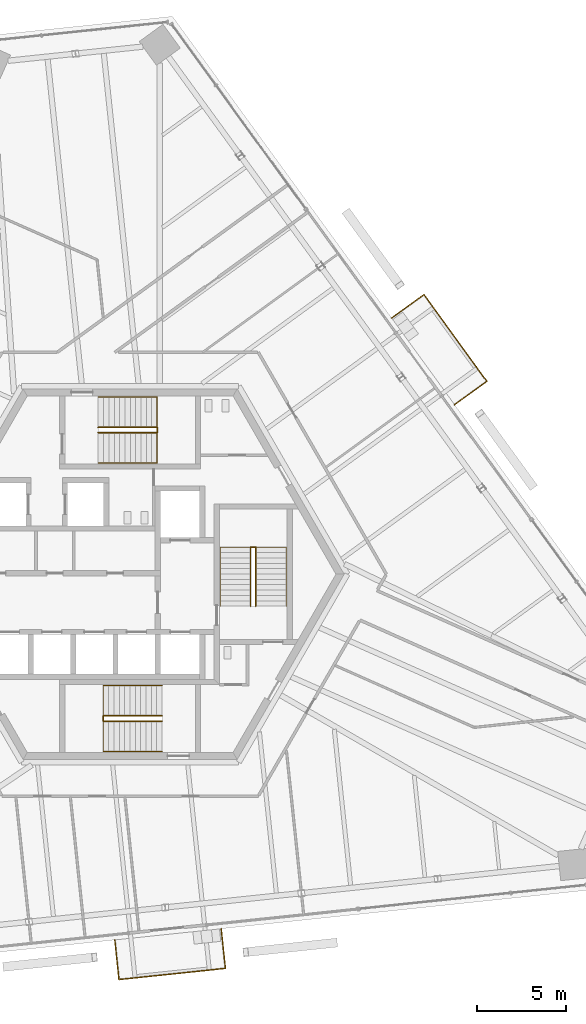
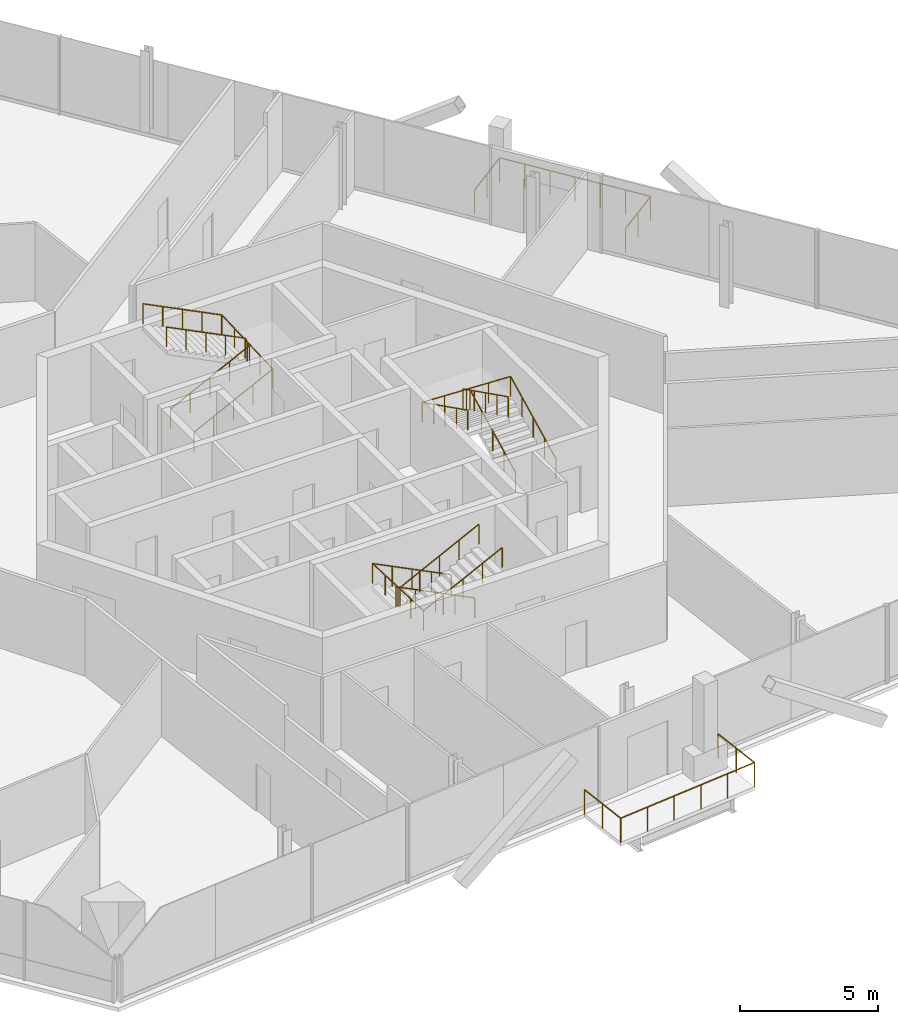
# One storey, part 15 of 18: 8 railings.
"""IFC4 building model written with IfcOpenShell, lengths in metres."""

from ifc_helpers import new_model, si_unit, direction, frame, origin, origin_2d, place, context, subcontext, project, spatial, circle, extrude, source, transform, mapped, material, type_object, element, save


model = new_model("IFC4")

# Units and contexts
model_context = context("Model", 3, precision=1e-05, world=origin(), true_north=direction((0.0, 1.0)))
body_context = subcontext(model_context, "Body", "Model", "MODEL_VIEW")
ifc_project = project(units=[si_unit("LENGTHUNIT", "METRE"), si_unit("AREAUNIT", "SQUARE_METRE"), si_unit("VOLUMEUNIT", "CUBIC_METRE"), si_unit("PLANEANGLEUNIT", "RADIAN"), si_unit("MASSUNIT", "GRAM", prefix="KILO")], contexts=[model_context])

# Site, building, storey
site_placement = place(None, origin())
site = spatial("IfcSite", under=ifc_project, at=site_placement, CompositionType="ELEMENT")
building_placement = place(site_placement, origin())
building = spatial("IfcBuilding", under=site, at=building_placement, Name="Triune Harvest Tower", CompositionType="ELEMENT")
storey_placement = place(building_placement, frame((0.0, 0.0, 230.5)))
storey = spatial("IfcBuildingStorey", under=building, at=storey_placement, Name="L60", CompositionType="ELEMENT", Elevation=230.5)

# Railings
ifc_material_1 = material(Name="Glass", Category="glass")
railing_type_1 = type_object("IfcRailingType", Name="GD-2 balcony guard 1100", PredefinedType="GUARDRAIL", material=ifc_material_1)
railing_1_placement = place(storey_placement, frame((18.189208984375, 9.507080078125, 0.0)))
element("IfcRailing", 1, at=railing_1_placement, inside=storey, type_object=railing_type_1, Name="Balcony guard B6-F1 L60.6", PredefinedType="GUARDRAIL", context=body_context, shape_type="SweptSolid", body=[
    extrude(circle(Radius=0.02392578125, at=origin_2d()), frame((0.0, 0.0, 1.076171875), z_axis=(0.809071410957, 0.587710347001, 0.0), x_axis=(-0.587710347001, 0.809071410957, 0.0)), (0.0, 0.0, 1.0), 2.234375),
    extrude(circle(Radius=0.02392578125, at=origin_2d()), frame((1.807861328125, 1.313232421875, 1.076171875), z_axis=(-0.587789377862, 0.809013996957, 0.0), x_axis=(-0.809013996957, -0.587789377862, 0.0)), (0.0, 0.0, 1.0), 6.000244140625),
    extrude(circle(Radius=0.02392578125, at=origin_2d()), frame((-1.718994140625, 6.16748046875, 1.076171875), z_axis=(-0.808981707372, -0.58783381762, 0.0), x_axis=(0.58783381762, -0.808981707372, 0.0)), (0.0, 0.0, 1.0), 2.234375),
    extrude(circle(Radius=0.02099609375, at=origin_2d()), origin(), (0.0, 0.0, 1.0), 1.052001953125),
    extrude(circle(Radius=0.02099609375, at=origin_2d()), frame((0.90380859375, 0.65673828125, 0.0)), (0.0, 0.0, 1.0), 1.052001953125),
    extrude(circle(Radius=0.02099609375, at=origin_2d()), frame((1.807861328125, 1.313232421875, 0.0)), (0.0, 0.0, 1.0), 1.052001953125),
    extrude(circle(Radius=0.02099609375, at=origin_2d()), frame((1.219970703125, 2.122314453125, 0.0)), (0.0, 0.0, 1.0), 1.052001953125),
    extrude(circle(Radius=0.02099609375, at=origin_2d()), frame((0.63232421875, 2.931396484375, 0.0)), (0.0, 0.0, 1.0), 1.052001953125),
    extrude(circle(Radius=0.02099609375, at=origin_2d()), frame((0.04443359375, 3.740234375, 0.0)), (0.0, 0.0, 1.0), 1.052001953125),
    extrude(circle(Radius=0.02099609375, at=origin_2d()), frame((-0.54345703125, 4.54931640625, 0.0)), (0.0, 0.0, 1.0), 1.052001953125),
    extrude(circle(Radius=0.02099609375, at=origin_2d()), frame((-1.131103515625, 5.3583984375, 0.0)), (0.0, 0.0, 1.0), 1.052001953125),
    extrude(circle(Radius=0.02099609375, at=origin_2d()), frame((-1.718994140625, 6.16748046875, 0.0)), (0.0, 0.0, 1.0), 1.052001953125),
    extrude(circle(Radius=0.02099609375, at=origin_2d()), frame((-2.622802734375, 5.5107421875, 0.0)), (0.0, 0.0, 1.0), 1.052001953125),
    extrude(circle(Radius=0.02099609375, at=origin_2d()), frame((-3.526611328125, 4.85400390625, 0.0)), (0.0, 0.0, 1.0), 1.052001953125),
])
railing_2_placement = place(storey_placement, frame((-0.861328125, -20.505859375, 0.0)))
element("IfcRailing", 2, at=railing_2_placement, inside=storey, type_object=railing_type_1, Name="Balcony guard B6-F5 L60.6", PredefinedType="GUARDRAIL", context=body_context, shape_type="SweptSolid", body=[
    extrude(circle(Radius=0.02392578125, at=origin_2d()), frame((0.0, 0.0, 1.076171875), z_axis=(0.104565342096, -0.994518018556, 0.0), x_axis=(0.994518018556, 0.104565342096, 0.0)), (0.0, 0.0, 1.0), 2.234375),
    extrude(circle(Radius=0.02392578125, at=origin_2d()), frame((0.233642578125, -2.22216796875, 1.076171875), z_axis=(0.994521271903, 0.104534394972, 0.0), x_axis=(-0.104534394972, 0.994521271903, 0.0)), (0.0, 0.0, 1.0), 6.0),
    extrude(circle(Radius=0.02392578125, at=origin_2d()), frame((6.20068359375, -1.594970703125, 1.076171875), z_axis=(-0.104457271244, 0.994529375375, 0.0), x_axis=(-0.994529375375, -0.104457271244, 0.0)), (0.0, 0.0, 1.0), 2.234375),
    extrude(circle(Radius=0.02099609375, at=origin_2d()), origin(), (0.0, 0.0, 1.0), 1.052001953125),
    extrude(circle(Radius=0.02099609375, at=origin_2d()), frame((0.11669921875, -1.111083984375, 0.0)), (0.0, 0.0, 1.0), 1.052001953125),
    extrude(circle(Radius=0.02099609375, at=origin_2d()), frame((0.233642578125, -2.22216796875, 0.0)), (0.0, 0.0, 1.0), 1.052001953125),
    extrude(circle(Radius=0.02099609375, at=origin_2d()), frame((1.427001953125, -2.0966796875, 0.0)), (0.0, 0.0, 1.0), 1.052001953125),
    extrude(circle(Radius=0.02099609375, at=origin_2d()), frame((2.620361328125, -1.97119140625, 0.0)), (0.0, 0.0, 1.0), 1.052001953125),
    extrude(circle(Radius=0.02099609375, at=origin_2d()), frame((3.81396484375, -1.845947265625, 0.0)), (0.0, 0.0, 1.0), 1.052001953125),
    extrude(circle(Radius=0.02099609375, at=origin_2d()), frame((5.00732421875, -1.720458984375, 0.0)), (0.0, 0.0, 1.0), 1.052001953125),
    extrude(circle(Radius=0.02099609375, at=origin_2d()), frame((6.20068359375, -1.594970703125, 0.0)), (0.0, 0.0, 1.0), 1.052001953125),
    extrude(circle(Radius=0.02099609375, at=origin_2d()), frame((6.083984375, -0.48388671875, 0.0)), (0.0, 0.0, 1.0), 1.052001953125),
    extrude(circle(Radius=0.02099609375, at=origin_2d()), frame((5.96728515625, 0.627197265625, 0.0)), (0.0, 0.0, 1.0), 1.052001953125),
])
ifc_material_2 = material(Name="Stainless steel AISI 316", Category="steel")
railing_type_2 = type_object("IfcRailingType", Name="Stair handrail", PredefinedType="HANDRAIL", material=ifc_material_2)
shared_shape_1 = source(origin(), body_context, "Body", "SweptSolid", [
    extrude(circle(Radius=0.02392578125, at=origin_2d()), frame((0.0, 0.0, 0.8759765625), z_axis=(0.894413956696, 0.0, 0.447240063129), x_axis=(0.0, 1.0, 0.0)), (0.0, 0.0, 1.0), 3.689697265625),
    extrude(circle(Radius=0.02392578125, at=origin_2d()), frame((3.300048828125, 0.0, 2.52587890625), z_axis=(0.0, 0.999180289278, 0.040481471304), x_axis=(-1.0, 0.0, 0.0)), (0.0, 0.0, 1.0), 3.702880859375),
    extrude(circle(Radius=0.02392578125, at=origin_2d()), frame((3.300048828125, 3.699951171875, 2.67578125), z_axis=(-0.894413956696, 0.0, 0.447240063129), x_axis=(0.0, -1.0, 0.0)), (0.0, 0.0, 1.0), 3.689697265625),
    extrude(circle(Radius=0.02099609375, at=origin_2d()), origin(), (0.0, 0.0, 1.0), 0.851806640625),
    extrude(circle(Radius=0.02099609375, at=origin_2d()), frame((0.824951171875, 0.0, 0.41259765625)), (0.0, 0.0, 1.0), 0.851806640625),
    extrude(circle(Radius=0.02099609375, at=origin_2d()), frame((1.64990234375, 0.0, 0.8251953125)), (0.0, 0.0, 1.0), 0.851806640625),
    extrude(circle(Radius=0.02099609375, at=origin_2d()), frame((2.47509765625, 0.0, 1.237548828125)), (0.0, 0.0, 1.0), 0.851806640625),
    extrude(circle(Radius=0.02099609375, at=origin_2d()), frame((3.300048828125, 0.0, 1.650146484375)), (0.0, 0.0, 1.0), 0.851806640625),
    extrude(circle(Radius=0.02099609375, at=origin_2d()), frame((3.300048828125, 0.925048828125, 1.6875)), (0.0, 0.0, 1.0), 0.851806640625),
    extrude(circle(Radius=0.02099609375, at=origin_2d()), frame((3.300048828125, 1.85009765625, 1.72509765625)), (0.0, 0.0, 1.0), 0.851806640625),
    extrude(circle(Radius=0.02099609375, at=origin_2d()), frame((3.300048828125, 2.77490234375, 1.7626953125)), (0.0, 0.0, 1.0), 0.851806640625),
    extrude(circle(Radius=0.02099609375, at=origin_2d()), frame((3.300048828125, 3.699951171875, 1.800048828125)), (0.0, 0.0, 1.0), 0.851806640625),
    extrude(circle(Radius=0.02099609375, at=origin_2d()), frame((2.47509765625, 3.699951171875, 2.212646484375)), (0.0, 0.0, 1.0), 0.851806640625),
    extrude(circle(Radius=0.02099609375, at=origin_2d()), frame((1.64990234375, 3.699951171875, 2.625)), (0.0, 0.0, 1.0), 0.851806640625),
    extrude(circle(Radius=0.02099609375, at=origin_2d()), frame((0.824951171875, 3.699951171875, 3.03759765625)), (0.0, 0.0, 1.0), 0.851806640625),
    extrude(circle(Radius=0.02099609375, at=origin_2d()), frame((0.0, 3.699951171875, 3.4501953125)), (0.0, 0.0, 1.0), 0.851806640625),
])
railing_3_placement = place(storey_placement, frame((-1.7900390625, 6.239990234375, 0.14990234375)))
element("IfcRailing", 3, at=railing_3_placement, inside=storey, type_object=railing_type_2, Name="Exit stair north wall handrail", PredefinedType="HANDRAIL", context=body_context, shape_type="MappedRepresentation", body=[
    mapped(shared_shape_1, transform((0.0, 0.0, 0.0), scale=1.0)),
])
shared_shape_2 = source(origin(), body_context, "Body", "SweptSolid", [
    extrude(circle(Radius=0.02392578125, at=origin_2d()), frame((0.0, 0.0, 0.8759765625), z_axis=(0.894413956696, 0.0, 0.447240063129), x_axis=(0.0, 1.0, 0.0)), (0.0, 0.0, 1.0), 3.689697265625),
    extrude(circle(Radius=0.02392578125, at=origin_2d()), frame((3.300048828125, 0.0, 2.52587890625), z_axis=(0.0, 0.894572720946, 0.446922417137), x_axis=(-1.0, 0.0, 0.0)), (0.0, 0.0, 1.0), 0.33544921875),
    extrude(circle(Radius=0.02392578125, at=origin_2d()), frame((3.300048828125, 0.300048828125, 2.67578125), z_axis=(-0.894413956696, 0.0, 0.447240063129), x_axis=(0.0, -1.0, 0.0)), (0.0, 0.0, 1.0), 3.689697265625),
    extrude(circle(Radius=0.02099609375, at=origin_2d()), origin(), (0.0, 0.0, 1.0), 0.851806640625),
    extrude(circle(Radius=0.02099609375, at=origin_2d()), frame((0.824951171875, 0.0, 0.41259765625)), (0.0, 0.0, 1.0), 0.851806640625),
    extrude(circle(Radius=0.02099609375, at=origin_2d()), frame((1.64990234375, 0.0, 0.8251953125)), (0.0, 0.0, 1.0), 0.851806640625),
    extrude(circle(Radius=0.02099609375, at=origin_2d()), frame((2.47509765625, 0.0, 1.237548828125)), (0.0, 0.0, 1.0), 0.851806640625),
    extrude(circle(Radius=0.02099609375, at=origin_2d()), frame((3.300048828125, 0.0, 1.650146484375)), (0.0, 0.0, 1.0), 0.851806640625),
    extrude(circle(Radius=0.02099609375, at=origin_2d()), frame((3.300048828125, 0.300048828125, 1.800048828125)), (0.0, 0.0, 1.0), 0.851806640625),
    extrude(circle(Radius=0.02099609375, at=origin_2d()), frame((2.47509765625, 0.300048828125, 2.212646484375)), (0.0, 0.0, 1.0), 0.851806640625),
    extrude(circle(Radius=0.02099609375, at=origin_2d()), frame((1.64990234375, 0.300048828125, 2.625)), (0.0, 0.0, 1.0), 0.851806640625),
    extrude(circle(Radius=0.02099609375, at=origin_2d()), frame((0.824951171875, 0.300048828125, 3.03759765625)), (0.0, 0.0, 1.0), 0.851806640625),
    extrude(circle(Radius=0.02099609375, at=origin_2d()), frame((0.0, 0.300048828125, 3.4501953125)), (0.0, 0.0, 1.0), 0.851806640625),
])
railing_4_placement = place(storey_placement, frame((-1.7900390625, 7.93994140625, 0.14990234375)))
element("IfcRailing", 4, at=railing_4_placement, inside=storey, type_object=railing_type_2, Name="Exit stair north centre handrail", PredefinedType="HANDRAIL", context=body_context, shape_type="MappedRepresentation", body=[
    mapped(shared_shape_2, transform((0.0, 0.0, 0.0), scale=1.0)),
])
shared_shape_3 = source(origin(), body_context, "Body", "SweptSolid", [
    extrude(circle(Radius=0.02392578125, at=origin_2d()), frame((0.0, 0.0, 0.8759765625), z_axis=(-0.894413956696, 0.0, 0.447240063129), x_axis=(0.0, -1.0, 0.0)), (0.0, 0.0, 1.0), 3.689697265625),
    extrude(circle(Radius=0.02392578125, at=origin_2d()), frame((-3.300048828125, 0.0, 2.52587890625), z_axis=(0.0, -0.999180289278, 0.040481471304), x_axis=(1.0, 0.0, 0.0)), (0.0, 0.0, 1.0), 3.702880859375),
    extrude(circle(Radius=0.02392578125, at=origin_2d()), frame((-3.300048828125, -3.699951171875, 2.67578125), z_axis=(0.894413956696, 0.0, 0.447240063129), x_axis=(0.0, 1.0, 0.0)), (0.0, 0.0, 1.0), 3.689697265625),
    extrude(circle(Radius=0.02099609375, at=origin_2d()), origin(), (0.0, 0.0, 1.0), 0.851806640625),
    extrude(circle(Radius=0.02099609375, at=origin_2d()), frame((-0.824951171875, 0.0, 0.41259765625)), (0.0, 0.0, 1.0), 0.851806640625),
    extrude(circle(Radius=0.02099609375, at=origin_2d()), frame((-1.64990234375, 0.0, 0.8251953125)), (0.0, 0.0, 1.0), 0.851806640625),
    extrude(circle(Radius=0.02099609375, at=origin_2d()), frame((-2.47509765625, 0.0, 1.237548828125)), (0.0, 0.0, 1.0), 0.851806640625),
    extrude(circle(Radius=0.02099609375, at=origin_2d()), frame((-3.300048828125, 0.0, 1.650146484375)), (0.0, 0.0, 1.0), 0.851806640625),
    extrude(circle(Radius=0.02099609375, at=origin_2d()), frame((-3.300048828125, -0.925048828125, 1.6875)), (0.0, 0.0, 1.0), 0.851806640625),
    extrude(circle(Radius=0.02099609375, at=origin_2d()), frame((-3.300048828125, -1.85009765625, 1.72509765625)), (0.0, 0.0, 1.0), 0.851806640625),
    extrude(circle(Radius=0.02099609375, at=origin_2d()), frame((-3.300048828125, -2.77490234375, 1.7626953125)), (0.0, 0.0, 1.0), 0.851806640625),
    extrude(circle(Radius=0.02099609375, at=origin_2d()), frame((-3.300048828125, -3.699951171875, 1.800048828125)), (0.0, 0.0, 1.0), 0.851806640625),
    extrude(circle(Radius=0.02099609375, at=origin_2d()), frame((-2.47509765625, -3.699951171875, 2.212646484375)), (0.0, 0.0, 1.0), 0.851806640625),
    extrude(circle(Radius=0.02099609375, at=origin_2d()), frame((-1.64990234375, -3.699951171875, 2.625)), (0.0, 0.0, 1.0), 0.851806640625),
    extrude(circle(Radius=0.02099609375, at=origin_2d()), frame((-0.824951171875, -3.699951171875, 3.03759765625)), (0.0, 0.0, 1.0), 0.851806640625),
    extrude(circle(Radius=0.02099609375, at=origin_2d()), frame((0.0, -3.699951171875, 3.4501953125)), (0.0, 0.0, 1.0), 0.851806640625),
])
railing_5_placement = place(storey_placement, frame((1.7900390625, -6.239990234375, 0.14990234375)))
element("IfcRailing", 5, at=railing_5_placement, inside=storey, type_object=railing_type_2, Name="Exit stair south wall handrail", PredefinedType="HANDRAIL", context=body_context, shape_type="MappedRepresentation", body=[
    mapped(shared_shape_3, transform((0.0, 0.0, 0.0), scale=1.0)),
])
shared_shape_4 = source(origin(), body_context, "Body", "SweptSolid", [
    extrude(circle(Radius=0.02392578125, at=origin_2d()), frame((0.0, 0.0, 0.8759765625), z_axis=(-0.894413956696, 0.0, 0.447240063129), x_axis=(0.0, -1.0, 0.0)), (0.0, 0.0, 1.0), 3.689697265625),
    extrude(circle(Radius=0.02392578125, at=origin_2d()), frame((-3.300048828125, 0.0, 2.52587890625), z_axis=(0.0, -0.894572720946, 0.446922417137), x_axis=(1.0, 0.0, 0.0)), (0.0, 0.0, 1.0), 0.33544921875),
    extrude(circle(Radius=0.02392578125, at=origin_2d()), frame((-3.300048828125, -0.300048828125, 2.67578125), z_axis=(0.894413956696, 0.0, 0.447240063129), x_axis=(0.0, 1.0, 0.0)), (0.0, 0.0, 1.0), 3.689697265625),
    extrude(circle(Radius=0.02099609375, at=origin_2d()), origin(), (0.0, 0.0, 1.0), 0.851806640625),
    extrude(circle(Radius=0.02099609375, at=origin_2d()), frame((-0.824951171875, 0.0, 0.41259765625)), (0.0, 0.0, 1.0), 0.851806640625),
    extrude(circle(Radius=0.02099609375, at=origin_2d()), frame((-1.64990234375, 0.0, 0.8251953125)), (0.0, 0.0, 1.0), 0.851806640625),
    extrude(circle(Radius=0.02099609375, at=origin_2d()), frame((-2.47509765625, 0.0, 1.237548828125)), (0.0, 0.0, 1.0), 0.851806640625),
    extrude(circle(Radius=0.02099609375, at=origin_2d()), frame((-3.300048828125, 0.0, 1.650146484375)), (0.0, 0.0, 1.0), 0.851806640625),
    extrude(circle(Radius=0.02099609375, at=origin_2d()), frame((-3.300048828125, -0.300048828125, 1.800048828125)), (0.0, 0.0, 1.0), 0.851806640625),
    extrude(circle(Radius=0.02099609375, at=origin_2d()), frame((-2.47509765625, -0.300048828125, 2.212646484375)), (0.0, 0.0, 1.0), 0.851806640625),
    extrude(circle(Radius=0.02099609375, at=origin_2d()), frame((-1.64990234375, -0.300048828125, 2.625)), (0.0, 0.0, 1.0), 0.851806640625),
    extrude(circle(Radius=0.02099609375, at=origin_2d()), frame((-0.824951171875, -0.300048828125, 3.03759765625)), (0.0, 0.0, 1.0), 0.851806640625),
    extrude(circle(Radius=0.02099609375, at=origin_2d()), frame((0.0, -0.300048828125, 3.4501953125)), (0.0, 0.0, 1.0), 0.851806640625),
])
railing_6_placement = place(storey_placement, frame((1.7900390625, -7.93994140625, 0.14990234375)))
element("IfcRailing", 6, at=railing_6_placement, inside=storey, type_object=railing_type_2, Name="Exit stair south centre handrail", PredefinedType="HANDRAIL", context=body_context, shape_type="MappedRepresentation", body=[
    mapped(shared_shape_4, transform((0.0, 0.0, 0.0), scale=1.0)),
])
shared_shape_5 = source(origin(), body_context, "Body", "SweptSolid", [
    extrude(circle(Radius=0.02392578125, at=origin_2d()), frame((0.0, 0.0, 0.8759765625), z_axis=(0.0, 0.894413956696, 0.447240063129), x_axis=(-1.0, 0.0, 0.0)), (0.0, 0.0, 1.0), 3.689697265625),
    extrude(circle(Radius=0.02392578125, at=origin_2d()), frame((0.0, 3.300048828125, 2.52587890625), z_axis=(-0.999180289278, 0.0, 0.040481471304), x_axis=(0.0, -1.0, 0.0)), (0.0, 0.0, 1.0), 3.702880859375),
    extrude(circle(Radius=0.02392578125, at=origin_2d()), frame((-3.699951171875, 3.300048828125, 2.67578125), z_axis=(0.0, -0.894413956696, 0.447240063129), x_axis=(1.0, 0.0, 0.0)), (0.0, 0.0, 1.0), 3.689697265625),
    extrude(circle(Radius=0.02099609375, at=origin_2d()), origin(), (0.0, 0.0, 1.0), 0.851806640625),
    extrude(circle(Radius=0.02099609375, at=origin_2d()), frame((0.0, 0.824951171875, 0.41259765625)), (0.0, 0.0, 1.0), 0.851806640625),
    extrude(circle(Radius=0.02099609375, at=origin_2d()), frame((0.0, 1.64990234375, 0.8251953125)), (0.0, 0.0, 1.0), 0.851806640625),
    extrude(circle(Radius=0.02099609375, at=origin_2d()), frame((0.0, 2.47509765625, 1.237548828125)), (0.0, 0.0, 1.0), 0.851806640625),
    extrude(circle(Radius=0.02099609375, at=origin_2d()), frame((0.0, 3.300048828125, 1.650146484375)), (0.0, 0.0, 1.0), 0.851806640625),
    extrude(circle(Radius=0.02099609375, at=origin_2d()), frame((-0.925048828125, 3.300048828125, 1.6875)), (0.0, 0.0, 1.0), 0.851806640625),
    extrude(circle(Radius=0.02099609375, at=origin_2d()), frame((-1.85009765625, 3.300048828125, 1.72509765625)), (0.0, 0.0, 1.0), 0.851806640625),
    extrude(circle(Radius=0.02099609375, at=origin_2d()), frame((-2.77490234375, 3.300048828125, 1.7626953125)), (0.0, 0.0, 1.0), 0.851806640625),
    extrude(circle(Radius=0.02099609375, at=origin_2d()), frame((-3.699951171875, 3.300048828125, 1.800048828125)), (0.0, 0.0, 1.0), 0.851806640625),
    extrude(circle(Radius=0.02099609375, at=origin_2d()), frame((-3.699951171875, 2.47509765625, 2.212646484375)), (0.0, 0.0, 1.0), 0.851806640625),
    extrude(circle(Radius=0.02099609375, at=origin_2d()), frame((-3.699951171875, 1.64990234375, 2.625)), (0.0, 0.0, 1.0), 0.851806640625),
    extrude(circle(Radius=0.02099609375, at=origin_2d()), frame((-3.699951171875, 0.824951171875, 3.03759765625)), (0.0, 0.0, 1.0), 0.851806640625),
    extrude(circle(Radius=0.02099609375, at=origin_2d()), frame((-3.699951171875, 0.0, 3.4501953125)), (0.0, 0.0, 1.0), 0.851806640625),
])
railing_7_placement = place(storey_placement, frame((8.75, -1.7900390625, 0.14990234375)))
element("IfcRailing", 7, at=railing_7_placement, inside=storey, type_object=railing_type_2, Name="Exit stair east wall handrail", PredefinedType="HANDRAIL", context=body_context, shape_type="MappedRepresentation", body=[
    mapped(shared_shape_5, transform((0.0, 0.0, 0.0), scale=1.0)),
])
shared_shape_6 = source(origin(), body_context, "Body", "SweptSolid", [
    extrude(circle(Radius=0.02392578125, at=origin_2d()), frame((0.0, 0.0, 0.8759765625), z_axis=(0.0, 0.894413956696, 0.447240063129), x_axis=(-1.0, 0.0, 0.0)), (0.0, 0.0, 1.0), 3.689697265625),
    extrude(circle(Radius=0.02392578125, at=origin_2d()), frame((0.0, 3.300048828125, 2.52587890625), z_axis=(-0.894572720946, 0.0, 0.446922417137), x_axis=(0.0, -1.0, 0.0)), (0.0, 0.0, 1.0), 0.33544921875),
    extrude(circle(Radius=0.02392578125, at=origin_2d()), frame((-0.300048828125, 3.300048828125, 2.67578125), z_axis=(0.0, -0.894413956696, 0.447240063129), x_axis=(1.0, 0.0, 0.0)), (0.0, 0.0, 1.0), 3.689697265625),
    extrude(circle(Radius=0.02099609375, at=origin_2d()), origin(), (0.0, 0.0, 1.0), 0.851806640625),
    extrude(circle(Radius=0.02099609375, at=origin_2d()), frame((0.0, 0.824951171875, 0.41259765625)), (0.0, 0.0, 1.0), 0.851806640625),
    extrude(circle(Radius=0.02099609375, at=origin_2d()), frame((0.0, 1.64990234375, 0.8251953125)), (0.0, 0.0, 1.0), 0.851806640625),
    extrude(circle(Radius=0.02099609375, at=origin_2d()), frame((0.0, 2.47509765625, 1.237548828125)), (0.0, 0.0, 1.0), 0.851806640625),
    extrude(circle(Radius=0.02099609375, at=origin_2d()), frame((0.0, 3.300048828125, 1.650146484375)), (0.0, 0.0, 1.0), 0.851806640625),
    extrude(circle(Radius=0.02099609375, at=origin_2d()), frame((-0.300048828125, 3.300048828125, 1.800048828125)), (0.0, 0.0, 1.0), 0.851806640625),
    extrude(circle(Radius=0.02099609375, at=origin_2d()), frame((-0.300048828125, 2.47509765625, 2.212646484375)), (0.0, 0.0, 1.0), 0.851806640625),
    extrude(circle(Radius=0.02099609375, at=origin_2d()), frame((-0.300048828125, 1.64990234375, 2.625)), (0.0, 0.0, 1.0), 0.851806640625),
    extrude(circle(Radius=0.02099609375, at=origin_2d()), frame((-0.300048828125, 0.824951171875, 3.03759765625)), (0.0, 0.0, 1.0), 0.851806640625),
    extrude(circle(Radius=0.02099609375, at=origin_2d()), frame((-0.300048828125, 0.0, 3.4501953125)), (0.0, 0.0, 1.0), 0.851806640625),
])
railing_8_placement = place(storey_placement, frame((7.050048828125, -1.7900390625, 0.14990234375)))
element("IfcRailing", 8, at=railing_8_placement, inside=storey, type_object=railing_type_2, Name="Exit stair east centre handrail", PredefinedType="HANDRAIL", context=body_context, shape_type="MappedRepresentation", body=[
    mapped(shared_shape_6, transform((0.0, 0.0, 0.0), scale=1.0)),
])

save(model, "model.ifc")
